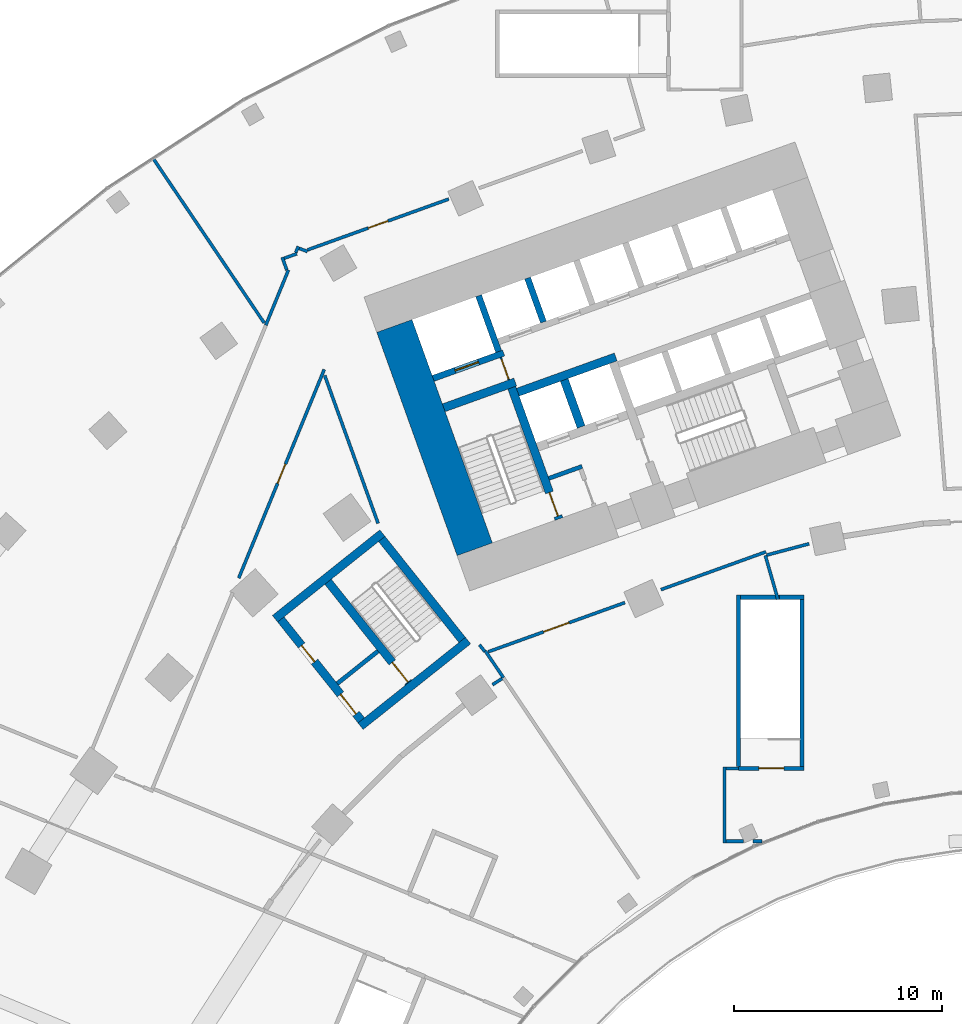
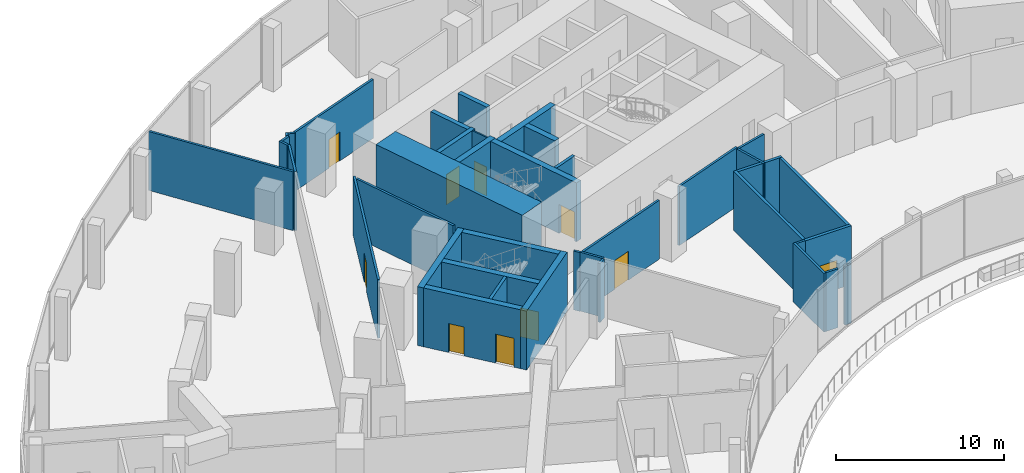
# One storey, part 23 of 33: 41 walls, 10 doors, 10 openings.
"""IFC4 building model written with IfcOpenShell, lengths in metres."""

from ifc_helpers import new_model, si_unit, direction, frame, frame_2d, origin, place, context, subcontext, project, spatial, rectangle, extrude, material, layer, layer_set, type_object, element, fill, save


model = new_model("IFC4")

# Units and contexts
model_context = context("Model", 3, precision=1e-05, world=origin(), true_north=direction((0.0, 1.0)))
body_context = subcontext(model_context, "Body", "Model", "MODEL_VIEW")
ifc_project = project(units=[si_unit("LENGTHUNIT", "METRE"), si_unit("AREAUNIT", "SQUARE_METRE"), si_unit("VOLUMEUNIT", "CUBIC_METRE"), si_unit("PLANEANGLEUNIT", "RADIAN"), si_unit("MASSUNIT", "GRAM", prefix="KILO")], contexts=[model_context])

# Site, building, storey
site_placement = place(None, origin())
site = spatial("IfcSite", under=ifc_project, at=site_placement, CompositionType="ELEMENT")
building_placement = place(site_placement, origin())
building = spatial("IfcBuilding", under=site, at=building_placement, Name="Stone Belt Terrace Tower", CompositionType="ELEMENT")
storey_placement = place(building_placement, frame((0.0, 0.0, 25.39990234375)))
storey = spatial("IfcBuildingStorey", under=building, at=storey_placement, Name="L05", CompositionType="ELEMENT", Elevation=25.39990234375)

# Wall, opening, door
ifc_material_1 = material(Name="Plasterboard partition")
ifc_layer_1 = layer(ifc_material_1, 0.10009765625)
ifc_layer_set_1 = layer_set([ifc_layer_1], Name="Core partition 100")
wall_type_1 = type_object("IfcWallType", Name="Core partition 100", PredefinedType="PARTITIONING", material=ifc_layer_set_1)
wall_1_placement = place(storey_placement, frame((-24.555908203125, 51.10400390625, 0.0), z_axis=(0.0, 0.0, 1.0), x_axis=(-0.338621735342, 0.94092258999, 0.0)))
wall_1 = element("IfcWall", 1, at=wall_1_placement, inside=storey, type_object=wall_type_1, Name="Core A wall", PredefinedType="PARTITIONING", context=body_context, shape_type="SweptSolid", body=[
    extrude(rectangle(XDim=1.14990234375, YDim=0.10009765625, at=frame_2d((0.574951171875, 0.0))), origin(), (0.0, 0.0, 1.0), 4.280029296875),
])
opening_1_placement = place(wall_1_placement, frame((0.050048828125, 0.0, 0.0)))
opening_1 = element("IfcOpeningElement", 2, at=opening_1_placement, cuts=wall_1, Name="Opening L05-C01", PredefinedType="OPENING", context=body_context, shape_type="SweptSolid", body=[
    extrude(rectangle(XDim=1.0, YDim=2.10009765625, at=frame_2d((0.5, 1.050048828125))), frame((0.0, 0.06005859375, 0.0), z_axis=(0.0, -1.0, 0.0), x_axis=(1.0, 0.0, 0.0)), (0.0, 0.0, 1.0), 0.1201171875),
])
ifc_material_2 = material(Name="Timber door leaf", Category="wood")
door_type_1 = type_object("IfcDoorType", Name="Core room door 1000", OperationType="SINGLE_SWING_LEFT", PredefinedType="DOOR", material=ifc_material_2)
door_1_placement = place(opening_1_placement, origin())
door_1 = element("IfcDoor", 3, at=door_1_placement, inside=storey, type_object=door_type_1, Name="Service lift lobby door core A", OperationType="SINGLE_SWING_RIGHT", OverallHeight=2.10009765625, OverallWidth=1.0, PredefinedType="DOOR", context=body_context, shape_type="SweptSolid", body=[
    extrude(rectangle(XDim=1.0, YDim=2.10009765625, at=frame_2d((0.5, 1.050048828125))), frame((0.0, 0.02490234375, 0.0), z_axis=(0.0, -1.0, 0.0), x_axis=(1.0, 0.0, 0.0)), (0.0, 0.0, 1.0), 0.050048828125),
])
fill(opening_1, door_1)

# Walls
ifc_material_3 = material(Name="Concrete B80", Category="concrete")
ifc_layer_2 = layer(ifc_material_3, 1.800048828125)
ifc_layer_set_2 = layer_set([ifc_layer_2], Name="Core wall 1800 B80")
wall_type_2 = type_object("IfcWallType", Name="Core wall 1800 B80", PredefinedType="SHEAR", material=ifc_layer_set_2)
wall_2_placement = place(storey_placement, frame((-26.197509765625, 42.96728515625, 0.0), z_axis=(0.0, 0.0, 1.0), x_axis=(-0.338625431531, 0.940921259788, 0.0)))
element("IfcWall", 4, at=wall_2_placement, inside=storey, type_object=wall_type_2, Name="Core A wall end_a L05", PredefinedType="SHEAR", context=body_context, shape_type="SweptSolid", body=[
    extrude(rectangle(XDim=11.400146484375, YDim=1.800048828125, at=frame_2d((5.7001953125, 0.0))), origin(), (0.0, 0.0, 1.0), 4.60009765625),
])
ifc_layer_3 = layer(ifc_material_3, 0.39990234375)
ifc_layer_set_3 = layer_set([ifc_layer_3], Name="Fire-fighting lift shaft wall 400")
wall_type_3 = type_object("IfcWallType", Name="Fire-fighting lift shaft wall 400", PredefinedType="SHEAR", material=ifc_layer_set_3)
wall_3_placement = place(storey_placement, frame((-24.130615234375, 50.512939453125, 0.0), z_axis=(0.0, 0.0, 1.0), x_axis=(0.94091168377, 0.338652038744, 0.0)))
element("IfcWall", 5, at=wall_3_placement, inside=storey, type_object=wall_type_3, Name="Core A wall", PredefinedType="SHEAR", context=body_context, shape_type="SweptSolid", body=[
    extrude(rectangle(XDim=5.000244140625, YDim=0.39990234375, at=frame_2d((2.5, 0.0))), origin(), (0.0, 0.0, 1.0), 4.280029296875),
])
wall_4_placement = place(storey_placement, frame((-21.0859375, 48.845458984375, 0.0), z_axis=(0.0, 0.0, 1.0), x_axis=(-0.338629416206, 0.940919825745, 0.0)))
element("IfcWall", 6, at=wall_4_placement, inside=storey, type_object=wall_type_3, Name="Core A wall", PredefinedType="SHEAR", context=body_context, shape_type="SweptSolid", body=[
    extrude(rectangle(XDim=2.400146484375, YDim=0.39990234375, at=frame_2d((1.2001953125, 0.0))), origin(), (0.0, 0.0, 1.0), 4.280029296875),
])

# Wall, opening, door
ifc_layer_4 = layer(ifc_material_3, 0.300048828125)
ifc_layer_set_4 = layer_set([ifc_layer_4], Name="Lift shaft wall 300")
wall_type_4 = type_object("IfcWallType", Name="Lift shaft wall 300", PredefinedType="SHEAR", material=ifc_layer_set_4)
wall_5_placement = place(storey_placement, frame((-28.195068359375, 51.17578125, 0.0), z_axis=(0.0, 0.0, 1.0), x_axis=(0.940901243567, 0.338681044427, 0.0)))
wall_5 = element("IfcWall", 7, at=wall_5_placement, inside=storey, type_object=wall_type_4, Name="Core A wall", PredefinedType="SHEAR", context=body_context, shape_type="SweptSolid", body=[
    extrude(rectangle(XDim=3.599853515625, YDim=0.300048828125, at=frame_2d((1.7998046875, 0.0))), origin(), (0.0, 0.0, 1.0), 4.280029296875),
])
opening_2_placement = place(wall_5_placement, frame((1.1201171875, 0.0, 0.0)))
opening_2 = element("IfcOpeningElement", 8, at=opening_2_placement, cuts=wall_5, Name="Opening L05-LD09", PredefinedType="OPENING", context=body_context, shape_type="SweptSolid", body=[
    extrude(rectangle(XDim=1.199951171875, YDim=2.199951171875, at=frame_2d((0.60009765625, 1.10009765625))), frame((0.0, 0.159912109375, 0.0), z_axis=(0.0, -1.0, 0.0), x_axis=(1.0, 0.0, 0.0)), (0.0, 0.0, 1.0), 0.320068359375),
])
ifc_material_4 = material(Name="Stainless steel door leaf", Category="steel")
door_type_2 = type_object("IfcDoorType", Name="Landing door 1200", OperationType="SLIDING_TO_LEFT", PredefinedType="DOOR", material=ifc_material_4)
door_2_placement = place(opening_2_placement, origin())
door_2 = element("IfcDoor", 9, at=door_2_placement, inside=storey, type_object=door_type_2, Name="Landing door SV1 core A", OperationType="SLIDING_TO_LEFT", OverallHeight=2.199951171875, OverallWidth=1.199951171875, PredefinedType="DOOR", context=body_context, shape_type="SweptSolid", body=[
    extrude(rectangle(XDim=1.199951171875, YDim=2.199951171875, at=frame_2d((0.60009765625, 1.10009765625))), frame((0.0, 0.02490234375, 0.0), z_axis=(0.0, -1.0, 0.0), x_axis=(1.0, 0.0, 0.0)), (0.0, 0.0, 1.0), 0.050048828125),
])
fill(opening_2, door_2)

# Walls
wall_6_placement = place(storey_placement, frame((-25.046875, 52.46826171875, 0.0), z_axis=(0.0, 0.0, 1.0), x_axis=(-0.338549588058, 0.940948551423, 0.0)))
element("IfcWall", 10, at=wall_6_placement, inside=storey, type_object=wall_type_4, Name="Core A wall", PredefinedType="SHEAR", context=body_context, shape_type="SweptSolid", body=[
    extrude(rectangle(XDim=2.849853515625, YDim=0.300048828125, at=frame_2d((1.4248046875, 0.0))), origin(), (0.0, 0.0, 1.0), 4.280029296875),
])
wall_7_placement = place(storey_placement, frame((-22.897705078125, 53.87939453125, 0.0), z_axis=(0.0, 0.0, 1.0), x_axis=(-0.338535034312, 0.940953787677, 0.0)))
element("IfcWall", 11, at=wall_7_placement, inside=storey, type_object=wall_type_4, Name="Core A wall", PredefinedType="SHEAR", context=body_context, shape_type="SweptSolid", body=[
    extrude(rectangle(XDim=2.25, YDim=0.300048828125, at=frame_2d((1.125, 0.0))), origin(), (0.0, 0.0, 1.0), 4.280029296875),
])

# Wall, opening, door
ifc_material_5 = material(Name="Gypsum board on steel stud partition", Category="steel")
ifc_layer_5 = layer(ifc_material_5, 0.14990234375)
ifc_layer_set_5 = layer_set([ifc_layer_5], Name="Podium partition 150")
wall_type_5 = type_object("IfcWallType", Name="Podium partition 150", PredefinedType="PARTITIONING", material=ifc_layer_set_5)
wall_8_placement = place(storey_placement, frame((-37.53515625, 41.58251953125, 0.0), z_axis=(0.0, 0.0, 1.0), x_axis=(0.379278787713, 0.925282444009, 0.0)))
wall_8 = element("IfcWall", 12, at=wall_8_placement, inside=storey, type_object=wall_type_5, Name="Podium partition 150", PredefinedType="PARTITIONING", context=body_context, shape_type="SweptSolid", body=[
    extrude(rectangle(XDim=10.830322265625, YDim=0.14990234375, at=frame_2d((5.4150390625, 0.0))), origin(), (0.0, 0.0, 1.0), 4.280029296875),
])
opening_3_placement = place(wall_8_placement, frame((4.9150390625, 0.0, 0.0)))
opening_3 = element("IfcOpeningElement", 13, at=opening_3_placement, cuts=wall_8, Name="Opening L05-P26", PredefinedType="OPENING", context=body_context, shape_type="SweptSolid", body=[
    extrude(rectangle(XDim=1.0, YDim=2.10009765625, at=frame_2d((0.5, 1.050048828125))), frame((0.0, 0.0849609375, 0.0), z_axis=(0.0, -1.0, 0.0), x_axis=(1.0, 0.0, 0.0)), (0.0, 0.0, 1.0), 0.169921875),
])
ifc_material_6 = material(Name="Steel framed door leaf", Category="steel")
door_type_3 = type_object("IfcDoorType", Name="Podium door single 1000", OperationType="SINGLE_SWING_LEFT", PredefinedType="DOOR", material=ifc_material_6)
door_3_placement = place(opening_3_placement, origin())
door_3 = element("IfcDoor", 14, at=door_3_placement, inside=storey, type_object=door_type_3, Name="Podium door single 1000", OperationType="SINGLE_SWING_RIGHT", OverallHeight=2.10009765625, OverallWidth=1.0, PredefinedType="DOOR", context=body_context, shape_type="SweptSolid", body=[
    extrude(rectangle(XDim=1.0, YDim=2.10009765625, at=frame_2d((0.5, 1.050048828125))), frame((0.0, 0.02490234375, 0.0), z_axis=(0.0, -1.0, 0.0), x_axis=(1.0, 0.0, 0.0)), (0.0, 0.0, 1.0), 0.050048828125),
])
fill(opening_3, door_3)

# Walls
wall_9_placement = place(storey_placement, frame((-41.65966796875, 61.763427734375, 0.0), z_axis=(0.0, 0.0, 1.0), x_axis=(0.559503580613, -0.828827933459, 0.0)))
element("IfcWall", 15, at=wall_9_placement, inside=storey, type_object=wall_type_5, Name="Podium partition 150", PredefinedType="PARTITIONING", context=body_context, shape_type="SweptSolid", body=[
    extrude(rectangle(XDim=9.552734375, YDim=0.14990234375, at=frame_2d((4.7763671875, 0.0))), origin(), (0.0, 0.0, 1.0), 4.280029296875),
])
wall_10_placement = place(storey_placement, frame((-36.234619140625, 53.73291015625, 0.0), z_axis=(0.0, 0.0, 1.0), x_axis=(0.37947219251, 0.925203142619, 0.0)))
element("IfcWall", 16, at=wall_10_placement, inside=storey, type_object=wall_type_5, Name="Podium partition 150", PredefinedType="PARTITIONING", context=body_context, shape_type="SweptSolid", body=[
    extrude(rectangle(XDim=2.864990234375, YDim=0.14990234375, at=frame_2d((1.4326171875, 0.0))), origin(), (0.0, 0.0, 1.0), 4.280029296875),
])
wall_11_placement = place(storey_placement, frame((-35.4453125, 56.990478515625, 0.0), z_axis=(0.0, 0.0, 1.0), x_axis=(0.338235497101, -0.941061500913, 0.0)))
element("IfcWall", 17, at=wall_11_placement, inside=storey, type_object=wall_type_5, Name="Podium partition 150", PredefinedType="PARTITIONING", context=body_context, shape_type="SweptSolid", body=[
    extrude(rectangle(XDim=0.64306640625, YDim=0.14990234375, at=frame_2d((0.321533203125, 0.0))), origin(), (0.0, 0.0, 1.0), 4.280029296875),
])
wall_12_placement = place(storey_placement, frame((-35.349609375, 56.945556640625, 0.0), z_axis=(0.0, 0.0, 1.0), x_axis=(0.940278374132, 0.340406491037, 0.0)))
element("IfcWall", 18, at=wall_12_placement, inside=storey, type_object=wall_type_5, Name="Podium partition 150", PredefinedType="PARTITIONING", context=body_context, shape_type="SweptSolid", body=[
    extrude(rectangle(XDim=0.6455078125, YDim=0.14990234375, at=frame_2d((0.32275390625, 0.0))), origin(), (0.0, 0.0, 1.0), 4.280029296875),
])
wall_13_placement = place(storey_placement, frame((-34.798583984375, 57.224853515625, 0.0), z_axis=(0.0, 0.0, 1.0), x_axis=(0.400978485899, 0.916087470631, 0.0)))
element("IfcWall", 19, at=wall_13_placement, inside=storey, type_object=wall_type_5, Name="Podium partition 150", PredefinedType="PARTITIONING", context=body_context, shape_type="SweptSolid", body=[
    extrude(rectangle(XDim=0.32080078125, YDim=0.14990234375, at=frame_2d((0.160400390625, 0.0))), origin(), (0.0, 0.0, 1.0), 4.280029296875),
])
wall_14_placement = place(storey_placement, frame((-34.6298828125, 57.4228515625, 0.0), z_axis=(0.0, 0.0, 1.0), x_axis=(0.931918492074, -0.362667787556, 0.0)))
element("IfcWall", 20, at=wall_14_placement, inside=storey, type_object=wall_type_5, Name="Podium partition 150", PredefinedType="PARTITIONING", context=body_context, shape_type="SweptSolid", body=[
    extrude(rectangle(XDim=0.425537109375, YDim=0.14990234375, at=frame_2d((0.212890625, 0.0))), origin(), (0.0, 0.0, 1.0), 4.280029296875),
])

# Wall, opening, door
wall_15_placement = place(storey_placement, frame((-34.232421875, 57.3486328125, 0.0), z_axis=(0.0, 0.0, 1.0), x_axis=(0.940933573885, 0.338591213022, 0.0)))
wall_15 = element("IfcWall", 21, at=wall_15_placement, inside=storey, type_object=wall_type_5, Name="Podium partition 150", PredefinedType="PARTITIONING", context=body_context, shape_type="SweptSolid", body=[
    extrude(rectangle(XDim=7.212646484375, YDim=0.14990234375, at=frame_2d((3.6064453125, 0.0))), origin(), (0.0, 0.0, 1.0), 4.280029296875),
])
opening_4_placement = place(wall_15_placement, frame((3.106201171875, 0.0, 0.0)))
opening_4 = element("IfcOpeningElement", 22, at=opening_4_placement, cuts=wall_15, Name="Opening L05-P28", PredefinedType="OPENING", context=body_context, shape_type="SweptSolid", body=[
    extrude(rectangle(XDim=1.0, YDim=2.10009765625, at=frame_2d((0.5, 1.050048828125))), frame((0.0, 0.0849609375, 0.0), z_axis=(0.0, -1.0, 0.0), x_axis=(1.0, 0.0, 0.0)), (0.0, 0.0, 1.0), 0.169921875),
])
door_4_placement = place(opening_4_placement, origin())
door_4 = element("IfcDoor", 23, at=door_4_placement, inside=storey, type_object=door_type_3, Name="Podium door single 1000", OperationType="SINGLE_SWING_RIGHT", OverallHeight=2.10009765625, OverallWidth=1.0, PredefinedType="DOOR", context=body_context, shape_type="SweptSolid", body=[
    extrude(rectangle(XDim=1.0, YDim=2.10009765625, at=frame_2d((0.5, 1.050048828125))), frame((0.0, 0.02490234375, 0.0), z_axis=(0.0, -1.0, 0.0), x_axis=(1.0, 0.0, 0.0)), (0.0, 0.0, 1.0), 0.050048828125),
])
fill(opening_4, door_4)

# Walls
wall_16_placement = place(storey_placement, frame((-33.404296875, 51.317626953125, 0.0), z_axis=(0.0, 0.0, 1.0), x_axis=(0.339357821351, -0.940657360088, 0.0)))
element("IfcWall", 24, at=wall_16_placement, inside=storey, type_object=wall_type_5, Name="Podium partition 150", PredefinedType="PARTITIONING", context=body_context, shape_type="SweptSolid", body=[
    extrude(rectangle(XDim=7.55615234375, YDim=0.14990234375, at=frame_2d((3.778076171875, 0.0))), origin(), (0.0, 0.0, 1.0), 4.280029296875),
])
wall_17_placement = place(storey_placement, frame((-25.34326171875, 36.4619140625, 0.0), z_axis=(0.0, 0.0, 1.0), x_axis=(0.839916668497, 0.542715385798, 0.0)))
element("IfcWall", 25, at=wall_17_placement, inside=storey, type_object=wall_type_5, Name="Podium partition 150", PredefinedType="PARTITIONING", context=body_context, shape_type="SweptSolid", body=[
    extrude(rectangle(XDim=0.5478515625, YDim=0.14990234375, at=frame_2d((0.27392578125, 0.0))), origin(), (0.0, 0.0, 1.0), 4.280029296875),
])
wall_18_placement = place(storey_placement, frame((-25.969970703125, 38.3798828125, 0.0), z_axis=(0.0, 0.0, 1.0), x_axis=(0.61962508167, -0.784897928501, 0.0)))
element("IfcWall", 26, at=wall_18_placement, inside=storey, type_object=wall_type_5, Name="Podium partition 150", PredefinedType="PARTITIONING", context=body_context, shape_type="SweptSolid", body=[
    extrude(rectangle(XDim=0.412109375, YDim=0.14990234375, at=frame_2d((0.2060546875, 0.0))), origin(), (0.0, 0.0, 1.0), 4.280029296875),
])
wall_19_placement = place(storey_placement, frame((-25.683349609375, 38.07421875, 0.0), z_axis=(0.0, 0.0, 1.0), x_axis=(0.560907770556, -0.827878295965, 0.0)))
element("IfcWall", 27, at=wall_19_placement, inside=storey, type_object=wall_type_5, Name="Podium partition 150", PredefinedType="PARTITIONING", context=body_context, shape_type="SweptSolid", body=[
    extrude(rectangle(XDim=1.5390625, YDim=0.14990234375, at=frame_2d((0.76953125, 0.0))), origin(), (0.0, 0.0, 1.0), 4.280029296875),
])

# Wall, opening, door
wall_20_placement = place(storey_placement, frame((-25.54833984375, 38.04296875, 0.0), z_axis=(0.0, 0.0, 1.0), x_axis=(0.940877147792, 0.338747978242, 0.0)))
wall_20 = element("IfcWall", 28, at=wall_20_placement, inside=storey, type_object=wall_type_5, Name="Podium partition 150", PredefinedType="PARTITIONING", context=body_context, shape_type="SweptSolid", body=[
    extrude(rectangle(XDim=6.974365234375, YDim=0.14990234375, at=frame_2d((3.4873046875, 0.0))), origin(), (0.0, 0.0, 1.0), 4.280029296875),
])
opening_5_placement = place(wall_20_placement, frame((2.8271484375, 0.0, 0.0)))
opening_5 = element("IfcOpeningElement", 29, at=opening_5_placement, cuts=wall_20, Name="Opening L05-P29", PredefinedType="OPENING", context=body_context, shape_type="SweptSolid", body=[
    extrude(rectangle(XDim=1.300048828125, YDim=2.10009765625, at=frame_2d((0.64990234375, 1.050048828125))), frame((0.0, 0.0849609375, 0.0), z_axis=(0.0, -1.0, 0.0), x_axis=(1.0, 0.0, 0.0)), (0.0, 0.0, 1.0), 0.169921875),
])
ifc_material_7 = material(Name="Steel framed fire door leaf", Category="steel")
door_type_4 = type_object("IfcDoorType", Name="Fire door 1300 x 2100 EI 60", OperationType="SINGLE_SWING_LEFT", PredefinedType="DOOR", material=ifc_material_7)
door_5_placement = place(opening_5_placement, origin())
door_5 = element("IfcDoor", 30, at=door_5_placement, inside=storey, type_object=door_type_4, Name="Fire door 1300 x 2100 EI 60", OperationType="SINGLE_SWING_LEFT", OverallHeight=2.10009765625, OverallWidth=1.300048828125, PredefinedType="DOOR", context=body_context, shape_type="SweptSolid", body=[
    extrude(rectangle(XDim=1.300048828125, YDim=2.10009765625, at=frame_2d((0.64990234375, 1.050048828125))), frame((0.0, 0.02490234375, 0.0), z_axis=(0.0, -1.0, 0.0), x_axis=(1.0, 0.0, 0.0)), (0.0, 0.0, 1.0), 0.050048828125),
])
fill(opening_5, door_5)

# Walls
wall_21_placement = place(storey_placement, frame((-17.25146484375, 41.030029296875, 0.0), z_axis=(0.0, 0.0, 1.0), x_axis=(0.940874053981, 0.33875657122, 0.0)))
element("IfcWall", 31, at=wall_21_placement, inside=storey, type_object=wall_type_5, Name="Podium partition 150", PredefinedType="PARTITIONING", context=body_context, shape_type="SweptSolid", body=[
    extrude(rectangle(XDim=5.359130859375, YDim=0.14990234375, at=frame_2d((2.6796875, 0.0))), origin(), (0.0, 0.0, 1.0), 4.280029296875),
])
wall_22_placement = place(storey_placement, frame((-14.199951171875, 28.864990234375, 0.0), z_axis=(0.0, 0.0, 1.0), x_axis=(0.0, 1.0, 0.0)))
element("IfcWall", 32, at=wall_22_placement, inside=storey, type_object=wall_type_5, Name="Podium partition 150", PredefinedType="PARTITIONING", context=body_context, shape_type="SweptSolid", body=[
    extrude(rectangle(XDim=3.64990234375, YDim=0.14990234375, at=frame_2d((1.824951171875, 0.0))), origin(), (0.0, 0.0, 1.0), 4.280029296875),
])
wall_23_placement = place(storey_placement, frame((-14.125, 28.93994140625, 0.0), z_axis=(0.0, 0.0, 1.0), x_axis=(1.0, 0.0, 0.0)))
element("IfcWall", 33, at=wall_23_placement, inside=storey, type_object=wall_type_5, Name="Podium partition 150", PredefinedType="PARTITIONING", context=body_context, shape_type="SweptSolid", body=[
    extrude(rectangle(XDim=0.83544921875, YDim=0.14990234375, at=frame_2d((0.417724609375, 0.0))), origin(), (0.0, 0.0, 1.0), 4.280029296875),
])
wall_24_placement = place(storey_placement, frame((-12.822998046875, 28.93994140625, 0.0), z_axis=(0.0, 0.0, 1.0), x_axis=(1.0, 0.0, 0.0)))
element("IfcWall", 34, at=wall_24_placement, inside=storey, type_object=wall_type_5, Name="Podium partition 150", PredefinedType="PARTITIONING", context=body_context, shape_type="SweptSolid", body=[
    extrude(rectangle(XDim=0.43310546875, YDim=0.14990234375, at=frame_2d((0.216552734375, 0.0))), origin(), (0.0, 0.0, 1.0), 4.280029296875),
])
wall_25_placement = place(storey_placement, frame((-14.125, 32.43994140625, 0.0), z_axis=(0.0, 0.0, 1.0), x_axis=(1.0, 0.0, 0.0)))
element("IfcWall", 35, at=wall_25_placement, inside=storey, type_object=wall_type_5, Name="Podium partition 150", PredefinedType="PARTITIONING", context=body_context, shape_type="SweptSolid", body=[
    extrude(rectangle(XDim=0.594970703125, YDim=0.14990234375, at=frame_2d((0.29736328125, 0.0))), origin(), (0.0, 0.0, 1.0), 4.280029296875),
])
wall_26_placement = place(storey_placement, frame((-12.23974609375, 42.669189453125, 0.0), z_axis=(0.0, 0.0, 1.0), x_axis=(0.277261347862, -0.96079453838, 0.0)))
element("IfcWall", 36, at=wall_26_placement, inside=storey, type_object=wall_type_5, Name="Podium partition 150", PredefinedType="PARTITIONING", context=body_context, shape_type="SweptSolid", body=[
    extrude(rectangle(XDim=2.1953125, YDim=0.14990234375, at=frame_2d((1.09765625, 0.0))), origin(), (0.0, 0.0, 1.0), 4.280029296875),
])
wall_27_placement = place(storey_placement, frame((-12.16748046875, 42.689208984375, 0.0), z_axis=(0.0, 0.0, 1.0), x_axis=(0.966221432729, 0.257713296001, 0.0)))
element("IfcWall", 37, at=wall_27_placement, inside=storey, type_object=wall_type_5, Name="Podium partition 150", PredefinedType="PARTITIONING", context=body_context, shape_type="SweptSolid", body=[
    extrude(rectangle(XDim=2.100341796875, YDim=0.14990234375, at=frame_2d((1.05029296875, 0.0))), origin(), (0.0, 0.0, 1.0), 4.280029296875),
])
ifc_material_8 = material(Name="Concrete B30", Category="concrete")
ifc_layer_6 = layer(ifc_material_8, 0.199951171875)
ifc_layer_set_6 = layer_set([ifc_layer_6], Name="Podium stair and shaft wall 200")
wall_type_6 = type_object("IfcWallType", Name="Podium stair and shaft wall 200", PredefinedType="SOLIDWALL", material=ifc_layer_set_6)
wall_28_placement = place(storey_placement, frame((-13.530029296875, 32.5400390625, 0.0), z_axis=(0.0, 0.0, 1.0), x_axis=(0.0, 1.0, 0.0)))
element("IfcWall", 38, at=wall_28_placement, inside=storey, type_object=wall_type_6, Name="Podium stair and shaft wall 200", PredefinedType="SOLIDWALL", context=body_context, shape_type="SweptSolid", body=[
    extrude(rectangle(XDim=8.219970703125, YDim=0.199951171875, at=frame_2d((4.10986328125, 0.0))), origin(), (0.0, 0.0, 1.0), 4.280029296875),
])

# Wall, opening, door
wall_29_placement = place(storey_placement, frame((-13.530029296875, 32.43994140625, 0.0), z_axis=(0.0, 0.0, 1.0), x_axis=(1.0, 0.0, 0.0)))
wall_29 = element("IfcWall", 39, at=wall_29_placement, inside=storey, type_object=wall_type_6, Name="Podium stair and shaft wall 200", PredefinedType="SOLIDWALL", context=body_context, shape_type="SweptSolid", body=[
    extrude(rectangle(XDim=3.159912109375, YDim=0.199951171875, at=frame_2d((1.580078125, 0.0))), origin(), (0.0, 0.0, 1.0), 4.280029296875),
])
opening_6_placement = place(wall_29_placement, frame((0.97998046875, 0.0, 0.0)))
opening_6 = element("IfcOpeningElement", 40, at=opening_6_placement, cuts=wall_29, Name="Opening L05-P05", PredefinedType="OPENING", context=body_context, shape_type="SweptSolid", body=[
    extrude(rectangle(XDim=1.199951171875, YDim=2.10009765625, at=frame_2d((0.60009765625, 1.050048828125))), frame((0.0, 0.10986328125, 0.0), z_axis=(0.0, -1.0, 0.0), x_axis=(1.0, 0.0, 0.0)), (0.0, 0.0, 1.0), 0.219970703125),
])
door_type_5 = type_object("IfcDoorType", Name="Podium door fire stair 1200", OperationType="SINGLE_SWING_LEFT", PredefinedType="DOOR", material=ifc_material_6)
door_6_placement = place(opening_6_placement, origin())
door_6 = element("IfcDoor", 41, at=door_6_placement, inside=storey, type_object=door_type_5, Name="Podium door fire stair 1200", OperationType="SINGLE_SWING_LEFT", OverallHeight=2.10009765625, OverallWidth=1.199951171875, PredefinedType="DOOR", context=body_context, shape_type="SweptSolid", body=[
    extrude(rectangle(XDim=1.199951171875, YDim=2.10009765625, at=frame_2d((0.60009765625, 1.050048828125))), frame((0.0, 0.02490234375, 0.0), z_axis=(0.0, -1.0, 0.0), x_axis=(1.0, 0.0, 0.0)), (0.0, 0.0, 1.0), 0.050048828125),
])
fill(opening_6, door_6)

# Walls
wall_30_placement = place(storey_placement, frame((-13.429931640625, 40.659912109375, 0.0), z_axis=(0.0, 0.0, 1.0), x_axis=(1.0, 0.0, 0.0)))
element("IfcWall", 42, at=wall_30_placement, inside=storey, type_object=wall_type_6, Name="Podium stair and shaft wall 200", PredefinedType="SOLIDWALL", context=body_context, shape_type="SweptSolid", body=[
    extrude(rectangle(XDim=1.8720703125, YDim=0.199951171875, at=frame_2d((0.93603515625, 0.0))), origin(), (0.0, 0.0, 1.0), 4.280029296875),
])
wall_31_placement = place(storey_placement, frame((-11.557861328125, 40.659912109375, 0.0), z_axis=(0.0, 0.0, 1.0), x_axis=(1.0, 0.0, 0.0)))
element("IfcWall", 43, at=wall_31_placement, inside=storey, type_object=wall_type_6, Name="Podium stair and shaft wall 200", PredefinedType="SOLIDWALL", context=body_context, shape_type="SweptSolid", body=[
    extrude(rectangle(XDim=1.187744140625, YDim=0.199951171875, at=frame_2d((0.59375, 0.0))), origin(), (0.0, 0.0, 1.0), 4.280029296875),
])
wall_32_placement = place(storey_placement, frame((-10.469970703125, 32.5400390625, 0.0), z_axis=(0.0, 0.0, 1.0), x_axis=(0.0, 1.0, 0.0)))
element("IfcWall", 44, at=wall_32_placement, inside=storey, type_object=wall_type_6, Name="Podium stair and shaft wall 200", PredefinedType="SOLIDWALL", context=body_context, shape_type="SweptSolid", body=[
    extrude(rectangle(XDim=8.02001953125, YDim=0.199951171875, at=frame_2d((4.010009765625, 0.0))), origin(), (0.0, 0.0, 1.0), 4.280029296875),
])
ifc_material_9 = material(Name="Concrete masonry block", Category="masonry")
ifc_layer_7 = layer(ifc_material_9, 0.199951171875)
ifc_layer_set_7 = layer_set([ifc_layer_7], Name="Rated lobby wall 200")
wall_type_7 = type_object("IfcWallType", Name="Rated lobby wall 200", PredefinedType="PARTITIONING", material=ifc_layer_set_7)
wall_33_placement = place(storey_placement, frame((-22.640625, 46.373046875, 0.0), z_axis=(0.0, 0.0, 1.0), x_axis=(0.940966110313, 0.338500781747, 0.0)))
element("IfcWall", 45, at=wall_33_placement, inside=storey, type_object=wall_type_7, Name="Core A wall", PredefinedType="PARTITIONING", context=body_context, shape_type="SweptSolid", body=[
    extrude(rectangle(XDim=1.699951171875, YDim=0.199951171875, at=frame_2d((0.85009765625, 0.0))), origin(), (0.0, 0.0, 1.0), 4.280029296875),
])
wall_34_placement = place(storey_placement, frame((-30.845703125, 38.074951171875, 0.0), z_axis=(0.0, 0.0, 1.0), x_axis=(-0.782115323833, -0.623133709749, 0.0)))
element("IfcWall", 46, at=wall_34_placement, inside=storey, type_object=wall_type_7, Name="Exit stair ST3A wall", PredefinedType="PARTITIONING", context=body_context, shape_type="SweptSolid", body=[
    extrude(rectangle(XDim=2.5, YDim=0.199951171875, at=frame_2d((1.25, 0.0))), origin(), (0.0, 0.0, 1.0), 4.280029296875),
])
ifc_layer_8 = layer(ifc_material_3, 0.39990234375)
ifc_layer_set_8 = layer_set([ifc_layer_8], Name="Stair enclosure wall 400")
wall_type_8 = type_object("IfcWallType", Name="Stair enclosure wall 400", PredefinedType="SHEAR", material=ifc_layer_set_8)
wall_35_placement = place(storey_placement, frame((-27.687255859375, 49.764404296875, 0.0), z_axis=(0.0, 0.0, 1.0), x_axis=(0.940918954884, 0.338631835981, 0.0)))
element("IfcWall", 47, at=wall_35_placement, inside=storey, type_object=wall_type_8, Name="Core A wall", PredefinedType="SHEAR", context=body_context, shape_type="SweptSolid", body=[
    extrude(rectangle(XDim=3.650146484375, YDim=0.39990234375, at=frame_2d((1.8251953125, 0.0))), origin(), (0.0, 0.0, 1.0), 4.280029296875),
])

# Wall, opening, door
wall_36_placement = place(storey_placement, frame((-22.151611328125, 44.42333984375, 0.0), z_axis=(0.0, 0.0, 1.0), x_axis=(-0.338625272931, 0.940921316866, 0.0)))
wall_36 = element("IfcWall", 48, at=wall_36_placement, inside=storey, type_object=wall_type_8, Name="Core A wall", PredefinedType="SHEAR", context=body_context, shape_type="SweptSolid", body=[
    extrude(rectangle(XDim=6.699951171875, YDim=0.39990234375, at=frame_2d((3.35009765625, 0.0))), origin(), (0.0, 0.0, 1.0), 4.280029296875),
])
opening_7_placement = place(wall_36_placement, frame((0.14990234375, 0.0, 0.0)))
opening_7 = element("IfcOpeningElement", 49, at=opening_7_placement, cuts=wall_36, Name="Opening L05-C03", PredefinedType="OPENING", context=body_context, shape_type="SweptSolid", body=[
    extrude(rectangle(XDim=1.199951171875, YDim=2.10009765625, at=frame_2d((0.60009765625, 1.050048828125))), frame((0.0, 0.2099609375, 0.0), z_axis=(0.0, -1.0, 0.0), x_axis=(1.0, 0.0, 0.0)), (0.0, 0.0, 1.0), 0.419921875),
])
ifc_material_10 = material(Name="Steel door leaf", Category="steel")
door_type_6 = type_object("IfcDoorType", Name="Stair door 1200", OperationType="SINGLE_SWING_LEFT", PredefinedType="DOOR", material=ifc_material_10)
door_7_placement = place(opening_7_placement, origin())
door_7 = element("IfcDoor", 50, at=door_7_placement, inside=storey, type_object=door_type_6, Name="Stair 1 door core A", OperationType="SINGLE_SWING_RIGHT", OverallHeight=2.10009765625, OverallWidth=1.199951171875, PredefinedType="DOOR", context=body_context, shape_type="SweptSolid", body=[
    extrude(rectangle(XDim=1.199951171875, YDim=2.10009765625, at=frame_2d((0.60009765625, 1.050048828125))), frame((0.0, 0.02490234375, 0.0), z_axis=(0.0, -1.0, 0.0), x_axis=(1.0, 0.0, 0.0)), (0.0, 0.0, 1.0), 0.050048828125),
])
fill(opening_7, door_7)

# Walls
for number, where, z_axis, x_axis, name in (
    (51, (-26.518798828125, 38.58154296875, 0.0), (0.0, 0.0, 1.0), (-0.782133914161, -0.623110375711, 0.0), "Exit stair ST3A wall"),
    (52, (-30.63134765625, 43.74365234375, 0.0), (0.0, 0.0, 1.0), (-0.782133914161, -0.623110375711, 0.0), "Exit stair ST3A wall"),
):
    element("IfcWall", number, at=place(storey_placement, frame(where, z_axis=z_axis, x_axis=x_axis)), inside=storey, type_object=wall_type_8, Name=name, PredefinedType="SHEAR", context=body_context, shape_type="SweptSolid", body=[
        extrude(rectangle(XDim=6.60009765625, YDim=0.39990234375, at=frame_2d((3.300048828125, 0.0))), origin(), (0.0, 0.0, 1.0), 4.280029296875),
    ])
wall_37_placement = place(storey_placement, frame((-26.7998046875, 38.61328125, 0.0), z_axis=(0.0, 0.0, 1.0), x_axis=(-0.623118653668, 0.782127319208, 0.0)))
element("IfcWall", 53, at=wall_37_placement, inside=storey, type_object=wall_type_8, Name="Exit stair ST3A wall", PredefinedType="SHEAR", context=body_context, shape_type="SweptSolid", body=[
    extrude(rectangle(XDim=6.199951171875, YDim=0.39990234375, at=frame_2d((3.10009765625, 0.0))), origin(), (0.0, 0.0, 1.0), 4.280029296875),
])

# Wall, openings, doors
wall_38_placement = place(storey_placement, frame((-31.64892578125, 34.75, 0.0), z_axis=(0.0, 0.0, 1.0), x_axis=(-0.623118653668, 0.782127319208, 0.0)))
wall_38 = element("IfcWall", 54, at=wall_38_placement, inside=storey, type_object=wall_type_8, Name="Exit stair ST3A wall", PredefinedType="SHEAR", context=body_context, shape_type="SweptSolid", body=[
    extrude(rectangle(XDim=6.199951171875, YDim=0.39990234375, at=frame_2d((3.10009765625, 0.0))), origin(), (0.0, 0.0, 1.0), 4.280029296875),
])
opening_8_placement = place(wall_38_placement, frame((0.39990234375, 0.0, 0.0)))
opening_8 = element("IfcOpeningElement", 55, at=opening_8_placement, cuts=wall_38, Name="Opening L05-C20", PredefinedType="OPENING", context=body_context, shape_type="SweptSolid", body=[
    extrude(rectangle(XDim=1.199951171875, YDim=2.10009765625, at=frame_2d((0.60009765625, 1.050048828125))), frame((0.0, 0.2099609375, 0.0), z_axis=(0.0, -1.0, 0.0), x_axis=(1.0, 0.0, 0.0)), (0.0, 0.0, 1.0), 0.419921875),
])
opening_9_placement = place(wall_38_placement, frame((3.60009765625, 0.0, 0.0)))
opening_9 = element("IfcOpeningElement", 56, at=opening_9_placement, cuts=wall_38, Name="Opening L05-C21", PredefinedType="OPENING", context=body_context, shape_type="SweptSolid", body=[
    extrude(rectangle(XDim=1.0, YDim=2.10009765625, at=frame_2d((0.5, 1.050048828125))), frame((0.0, 0.2099609375, 0.0), z_axis=(0.0, -1.0, 0.0), x_axis=(1.0, 0.0, 0.0)), (0.0, 0.0, 1.0), 0.419921875),
])
door_8_placement = place(opening_9_placement, origin())
door_8 = element("IfcDoor", 57, at=door_8_placement, inside=storey, type_object=door_type_1, Name="Door to stair pressurisation plant room ST3A", OperationType="SINGLE_SWING_LEFT", OverallHeight=2.10009765625, OverallWidth=1.0, PredefinedType="DOOR", context=body_context, shape_type="SweptSolid", body=[
    extrude(rectangle(XDim=1.0, YDim=2.10009765625, at=frame_2d((0.5, 1.050048828125))), frame((0.0, 0.02490234375, 0.0), z_axis=(0.0, -1.0, 0.0), x_axis=(1.0, 0.0, 0.0)), (0.0, 0.0, 1.0), 0.050048828125),
])
fill(opening_9, door_8)
door_type_7 = type_object("IfcDoorType", Name="Stair airlock door 1200", OperationType="SINGLE_SWING_LEFT", PredefinedType="DOOR", material=ifc_material_10)
door_9_placement = place(opening_8_placement, origin())
door_9 = element("IfcDoor", 58, at=door_9_placement, inside=storey, type_object=door_type_7, Name="Stair airlock door ST3A", OperationType="SINGLE_SWING_LEFT", OverallHeight=2.10009765625, OverallWidth=1.199951171875, PredefinedType="DOOR", context=body_context, shape_type="SweptSolid", body=[
    extrude(rectangle(XDim=1.199951171875, YDim=2.10009765625, at=frame_2d((0.60009765625, 1.050048828125))), frame((0.0, 0.02490234375, 0.0), z_axis=(0.0, -1.0, 0.0), x_axis=(1.0, 0.0, 0.0)), (0.0, 0.0, 1.0), 0.050048828125),
])
fill(opening_8, door_9)

# Wall, opening, door
wall_39_placement = place(storey_placement, frame((-29.380859375, 36.556884765625, 0.0), z_axis=(0.0, 0.0, 1.0), x_axis=(-0.623099462847, 0.782142608097, 0.0)))
wall_39 = element("IfcWall", 59, at=wall_39_placement, inside=storey, type_object=wall_type_8, Name="Exit stair ST3A wall", PredefinedType="SHEAR", context=body_context, shape_type="SweptSolid", body=[
    extrude(rectangle(XDim=6.2001953125, YDim=0.39990234375, at=frame_2d((3.10009765625, 0.0))), origin(), (0.0, 0.0, 1.0), 4.280029296875),
])
opening_10_placement = place(wall_39_placement, frame((0.050048828125, 0.0, 0.0)))
opening_10 = element("IfcOpeningElement", 60, at=opening_10_placement, cuts=wall_39, Name="Opening L05-C19", PredefinedType="OPENING", context=body_context, shape_type="SweptSolid", body=[
    extrude(rectangle(XDim=1.199951171875, YDim=2.10009765625, at=frame_2d((0.60009765625, 1.050048828125))), frame((0.0, 0.2099609375, 0.0), z_axis=(0.0, -1.0, 0.0), x_axis=(1.0, 0.0, 0.0)), (0.0, 0.0, 1.0), 0.419921875),
])
door_10_placement = place(opening_10_placement, origin())
door_10 = element("IfcDoor", 61, at=door_10_placement, inside=storey, type_object=door_type_6, Name="Stair door ST3A", OperationType="SINGLE_SWING_RIGHT", OverallHeight=2.10009765625, OverallWidth=1.199951171875, PredefinedType="DOOR", context=body_context, shape_type="SweptSolid", body=[
    extrude(rectangle(XDim=1.199951171875, YDim=2.10009765625, at=frame_2d((0.60009765625, 1.050048828125))), frame((0.0, 0.02490234375, 0.0), z_axis=(0.0, -1.0, 0.0), x_axis=(1.0, 0.0, 0.0)), (0.0, 0.0, 1.0), 0.050048828125),
])
fill(opening_10, door_10)

save(model, "model.ifc")
